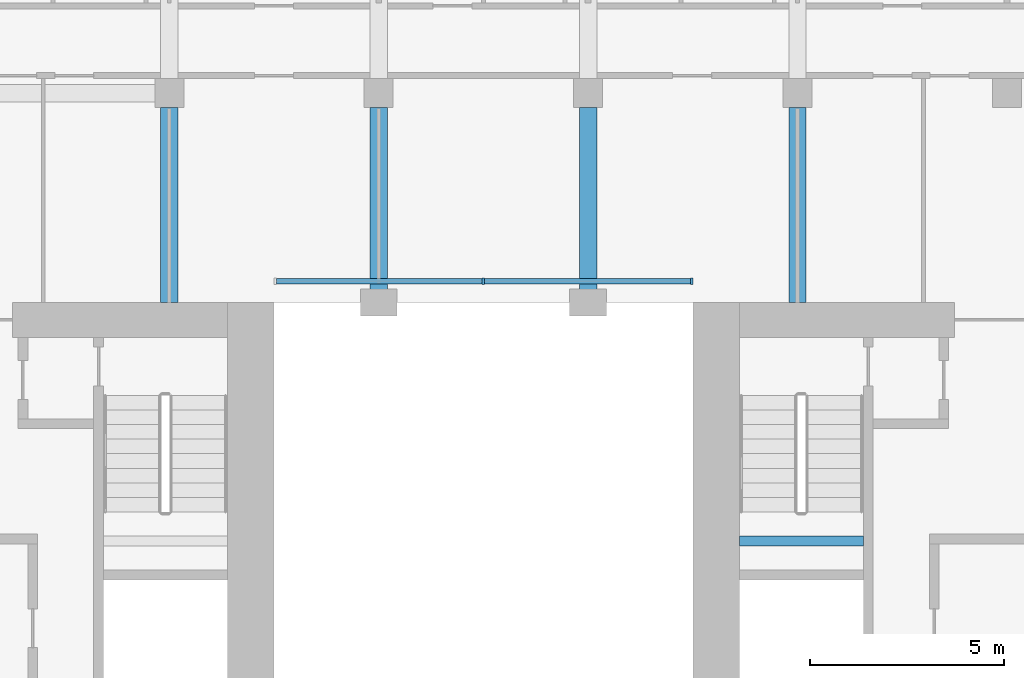
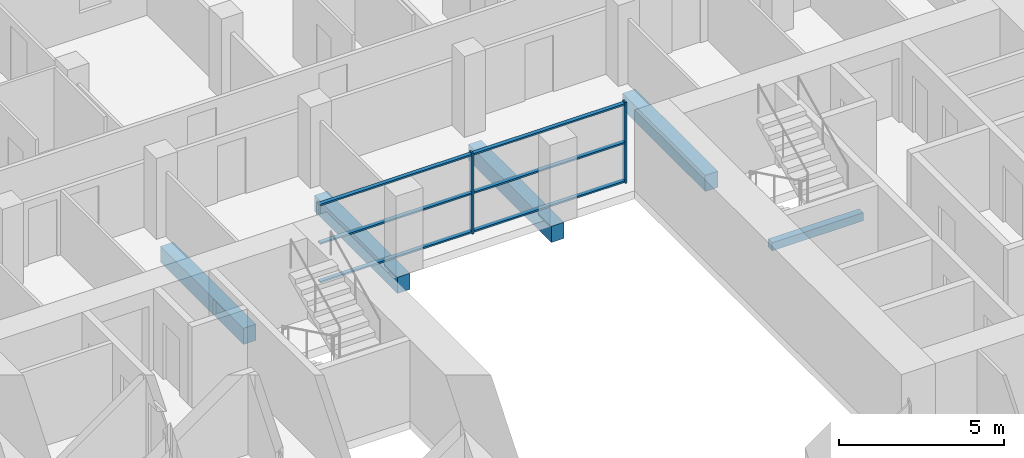
# One storey, part 4 of 14: 8 members, 5 beams, 1 element without a shape of its own.
"""IFC4 building model written with IfcOpenShell, lengths in metres."""

from ifc_helpers import new_model, si_unit, direction, frame, origin, origin_2d, place, context, subcontext, project, spatial, rectangle, extrude, material, material_profile, profile_set, type_object, element, aggregate, save


model = new_model("IFC4")

# Units and contexts
model_context = context("Model", 3, precision=1e-05, world=origin(), true_north=direction((0.0, 1.0)))
body_context = subcontext(model_context, "Body", "Model", "MODEL_VIEW")
ifc_project = project(units=[si_unit("LENGTHUNIT", "METRE"), si_unit("AREAUNIT", "SQUARE_METRE"), si_unit("VOLUMEUNIT", "CUBIC_METRE"), si_unit("PLANEANGLEUNIT", "RADIAN"), si_unit("MASSUNIT", "GRAM", prefix="KILO")], contexts=[model_context])

# Site, building, storey
site_placement = place(None, origin())
site = spatial("IfcSite", under=ifc_project, at=site_placement, CompositionType="ELEMENT")
building_placement = place(site_placement, origin())
building = spatial("IfcBuilding", under=site, at=building_placement, Name="Tabaq Tower and Sports Hall", CompositionType="ELEMENT")
storey_placement = place(building_placement, frame((0.0, 0.0, 213.699951171875)))
storey = spatial("IfcBuildingStorey", under=building, at=storey_placement, Name="L53", CompositionType="ELEMENT", Elevation=213.699951171875)

# Curtain wall, members
ifc_material_1 = material(Name="Aluminium alloy 6063-T6 framed glazing", Category="aluminium")
curtain_wall_type = type_object("IfcCurtainWallType", Name="CW1 curtain wall", PredefinedType="USERDEFINED", material=ifc_material_1)
curtain_wall_placement = place(storey_placement, origin())
curtain_wall = element("IfcCurtainWall", 1, at=curtain_wall_placement, inside=storey, type_object=curtain_wall_type, Name="Atrium glazing L53 N", ObjectType="ATRIUM ENCLOSURE", PredefinedType="USERDEFINED")
ifc_material_2 = material(Name="Aluminium alloy 6063-T6", Category="aluminium")
ifc_material_profile_1 = material_profile(ifc_material_2, rectangle(XDim=0.159912109375, YDim=0.06005859375, at=origin_2d()), Name="MULLION 160x60")
ifc_profile_set_1 = profile_set([ifc_material_profile_1], Name="Aluminium alloy 6063-T6")
member_type_1 = type_object("IfcMemberType", Name="CW1 mullion 160x60", PredefinedType="MULLION", material=ifc_profile_set_1)
member_1_placement = place(storey_placement, frame((24.300048828125, 32.949951171875, 0.0), z_axis=(0.0, 0.0, 1.0), x_axis=(0.0, 1.0, 0.0)))
member_1 = element("IfcMember", 2, at=member_1_placement, type_object=member_type_1, Name="CW1 mullion 2", PredefinedType="MULLION", context=body_context, shape_type="SweptSolid", body=[
    extrude(rectangle(XDim=0.159912109375, YDim=0.06005859375, at=origin_2d()), origin(), (0.0, 0.0, 1.0), 3.0),
])
member_2_placement = place(storey_placement, frame((29.669921875, 32.949951171875, 0.0), z_axis=(0.0, 0.0, 1.0), x_axis=(0.0, 1.0, 0.0)))
member_2 = element("IfcMember", 3, at=member_2_placement, type_object=member_type_1, Name="CW1 mullion 3", PredefinedType="MULLION", context=body_context, shape_type="SweptSolid", body=[
    extrude(rectangle(XDim=0.159912109375, YDim=0.06005859375, at=origin_2d()), origin(), (0.0, 0.0, 1.0), 3.0),
])
ifc_material_3 = material(Name="Aluminium alloy 6063-T6", Category="aluminium")
ifc_material_profile_2 = material_profile(ifc_material_3, rectangle(XDim=0.139892578125, YDim=0.06005859375, at=origin_2d()), Name="TRANSOM 140x60")
ifc_profile_set_2 = profile_set([ifc_material_profile_2], Name="Aluminium alloy 6063-T6")
member_type_2 = type_object("IfcMemberType", Name="CW1 transom 140x60", PredefinedType="USERDEFINED", material=ifc_profile_set_2)
member_3_placement = place(storey_placement, frame((18.9599609375, 32.949951171875, 0.070068359375), z_axis=(1.0, 0.0, 0.0), x_axis=(0.0, 1.0, 0.0)))
member_3 = element("IfcMember", 4, at=member_3_placement, type_object=member_type_2, Name="CW1 transom 1.1", ObjectType="TRANSOM", PredefinedType="USERDEFINED", context=body_context, shape_type="SweptSolid", body=[
    extrude(rectangle(XDim=0.139892578125, YDim=0.06005859375, at=origin_2d()), origin(), (0.0, 0.0, 1.0), 5.31005859375),
])
member_4_placement = place(storey_placement, frame((18.9599609375, 32.949951171875, 1.5), z_axis=(1.0, 0.0, 0.0), x_axis=(0.0, 1.0, 0.0)))
member_4 = element("IfcMember", 5, at=member_4_placement, type_object=member_type_2, Name="CW1 transom 1.2", ObjectType="TRANSOM", PredefinedType="USERDEFINED", context=body_context, shape_type="SweptSolid", body=[
    extrude(rectangle(XDim=0.139892578125, YDim=0.06005859375, at=origin_2d()), origin(), (0.0, 0.0, 1.0), 5.31005859375),
])
member_5_placement = place(storey_placement, frame((18.9599609375, 32.949951171875, 2.929931640625), z_axis=(1.0, 0.0, 0.0), x_axis=(0.0, 1.0, 0.0)))
member_5 = element("IfcMember", 6, at=member_5_placement, type_object=member_type_2, Name="CW1 transom 1.3", ObjectType="TRANSOM", PredefinedType="USERDEFINED", context=body_context, shape_type="SweptSolid", body=[
    extrude(rectangle(XDim=0.139892578125, YDim=0.06005859375, at=origin_2d()), origin(), (0.0, 0.0, 1.0), 5.31005859375),
])
member_6_placement = place(storey_placement, frame((24.330078125, 32.949951171875, 0.070068359375), z_axis=(1.0, 0.0, 0.0), x_axis=(0.0, 1.0, 0.0)))
member_6 = element("IfcMember", 7, at=member_6_placement, type_object=member_type_2, Name="CW1 transom 2.1", ObjectType="TRANSOM", PredefinedType="USERDEFINED", context=body_context, shape_type="SweptSolid", body=[
    extrude(rectangle(XDim=0.139892578125, YDim=0.06005859375, at=origin_2d()), origin(), (0.0, 0.0, 1.0), 5.309814453125),
])
member_7_placement = place(storey_placement, frame((24.330078125, 32.949951171875, 1.5), z_axis=(1.0, 0.0, 0.0), x_axis=(0.0, 1.0, 0.0)))
member_7 = element("IfcMember", 8, at=member_7_placement, type_object=member_type_2, Name="CW1 transom 2.2", ObjectType="TRANSOM", PredefinedType="USERDEFINED", context=body_context, shape_type="SweptSolid", body=[
    extrude(rectangle(XDim=0.139892578125, YDim=0.06005859375, at=origin_2d()), origin(), (0.0, 0.0, 1.0), 5.309814453125),
])
member_8_placement = place(storey_placement, frame((24.330078125, 32.949951171875, 2.929931640625), z_axis=(1.0, 0.0, 0.0), x_axis=(0.0, 1.0, 0.0)))
member_8 = element("IfcMember", 9, at=member_8_placement, type_object=member_type_2, Name="CW1 transom 2.3", ObjectType="TRANSOM", PredefinedType="USERDEFINED", context=body_context, shape_type="SweptSolid", body=[
    extrude(rectangle(XDim=0.139892578125, YDim=0.06005859375, at=origin_2d()), origin(), (0.0, 0.0, 1.0), 5.309814453125),
])
aggregate(curtain_wall, [member_1, member_2, member_3, member_4, member_5, member_6, member_7, member_8])

# Beams
ifc_material_4 = material(Name="Concrete C40/50", Category="concrete")
ifc_material_profile_3 = material_profile(ifc_material_4, rectangle(XDim=0.449951171875, YDim=0.60009765625, at=origin_2d()), Name="CB 450x600")
ifc_profile_set_3 = profile_set([ifc_material_profile_3], Name="Concrete C40/50")
beam_type_1 = type_object("IfcBeamType", Name="PT CANTILEVER BEAM CB 450x600 C40/50", PredefinedType="BEAM", material=ifc_profile_set_3)
for number, where, z_axis, x_axis, name in (
    (10, (16.199951171875, 37.425048828125, -0.599853515625), (0.0, -1.0, 0.0), (1.0, 0.0, 0.0), "Cantilever Beam L53 N3 span 3"),
    (11, (21.60009765625, 37.425048828125, -0.599853515625), (0.0, -1.0, 0.0), (1.0, 0.0, 0.0), "Cantilever Beam L53 N4 span 3"),
    (12, (27.0, 37.425048828125, -0.599853515625), (0.0, -1.0, 0.0), (1.0, 0.0, 0.0), "Cantilever Beam L53 N5 span 3"),
    (13, (32.39990234375, 37.425048828125, -0.599853515625), (0.0, -1.0, 0.0), (1.0, 0.0, 0.0), "Cantilever Beam L53 N6 span 3"),
):
    element("IfcBeam", number, at=place(storey_placement, frame(where, z_axis=z_axis, x_axis=x_axis)), inside=storey, type_object=beam_type_1, Name=name, PredefinedType="BEAM", context=body_context, shape_type="SweptSolid", body=[
        extrude(rectangle(XDim=0.449951171875, YDim=0.60009765625, at=origin_2d()), origin(), (0.0, 0.0, 1.0), 5.025146484375),
    ])
ifc_material_5 = material(Name="Concrete C40/50", Category="concrete")
ifc_material_profile_4 = material_profile(ifc_material_5, rectangle(XDim=0.25, YDim=0.300048828125, at=origin_2d()), Name="RC 250x300")
ifc_profile_set_4 = profile_set([ifc_material_profile_4], Name="Concrete C40/50")
beam_type_2 = type_object("IfcBeamType", Name="Stair landing beam 250x300", PredefinedType="BEAM", material=ifc_profile_set_4)
beam_placement = place(storey_placement, frame((30.89990234375, 26.25, 1.300048828125), z_axis=(1.0, 0.0, 0.0), x_axis=(0.0, 1.0, 0.0)))
element("IfcBeam", 14, at=beam_placement, inside=storey, type_object=beam_type_2, Name="L53 ST4 landing beam 1", PredefinedType="BEAM", context=body_context, shape_type="SweptSolid", body=[
    extrude(rectangle(XDim=0.25, YDim=0.300048828125, at=origin_2d()), origin(), (0.0, 0.0, 1.0), 3.2001953125),
])

save(model, "model.ifc")
